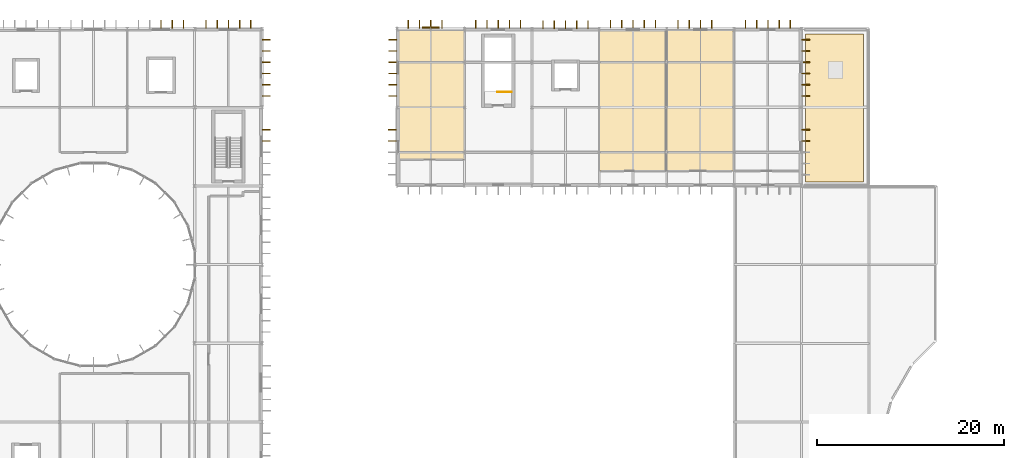
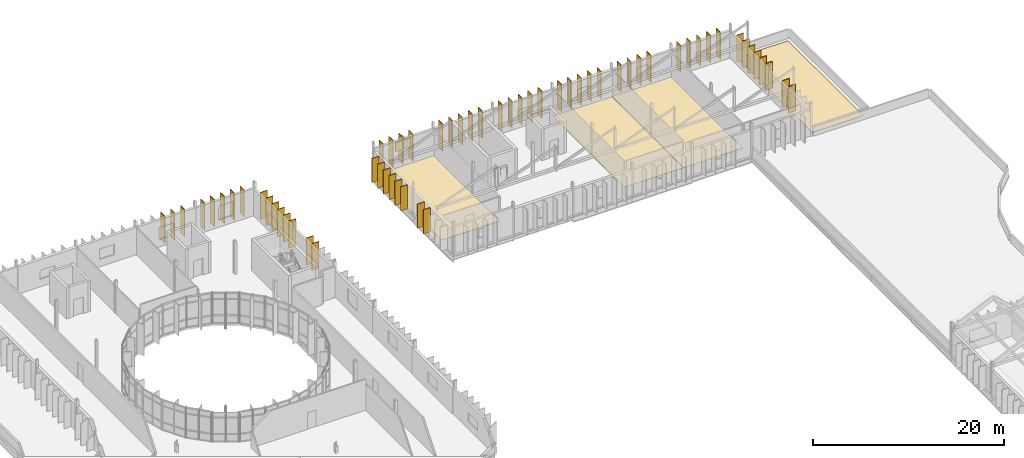
# One storey, part 51 of 52: 61 shading devices, 4 coverings, 1 railing.
"""IFC4 building model written with IfcOpenShell, lengths in metres."""

from ifc_helpers import new_model, si_unit, direction, frame, origin, origin_2d, place, context, subcontext, project, spatial, polyline, rectangle, circle, outline, extrude, material, layer, layer_set, type_object, element, save


model = new_model("IFC4")

# Units and contexts
model_context = context("Model", 3, precision=1e-05, world=origin(), true_north=direction((0.0, 1.0)))
body_context = subcontext(model_context, "Body", "Model", "MODEL_VIEW")
ifc_project = project(units=[si_unit("LENGTHUNIT", "METRE"), si_unit("AREAUNIT", "SQUARE_METRE"), si_unit("VOLUMEUNIT", "CUBIC_METRE"), si_unit("PLANEANGLEUNIT", "RADIAN"), si_unit("MASSUNIT", "GRAM", prefix="KILO")], contexts=[model_context])

# Site, building, storey
site_placement = place(None, origin())
site = spatial("IfcSite", under=ifc_project, at=site_placement, CompositionType="ELEMENT")
building_placement = place(site_placement, origin())
building = spatial("IfcBuilding", under=site, at=building_placement, Name="Qelthora Terrace Specialist Clinic", CompositionType="ELEMENT")
storey_placement = place(building_placement, frame((0.0, 0.0, 17.39990234375)))
storey = spatial("IfcBuildingStorey", under=building, at=storey_placement, Name="L04", CompositionType="ELEMENT", Elevation=17.39990234375)

# Coverings
ifc_material_1 = material(Name="Antimicrobial clinical linoleum flooring", Category="other")
ifc_layer_1 = layer(ifc_material_1, 0.011962890625)
ifc_layer_set_1 = layer_set([ifc_layer_1], Name="Antimicrobial clinical linoleum flooring")
covering_type_1 = type_object("IfcCoveringType", Name="COV-FLR-LINO-12", PredefinedType="FLOORING", material=ifc_layer_set_1)
covering_1_placement = place(storey_placement, origin())
element("IfcCovering", 1, at=covering_1_placement, inside=storey, type_object=covering_type_1, Name="Sawtooth Medical Library Reading Hall L04-61 resilient linoleum flooring", PredefinedType="FLOORING", context=body_context, shape_type="SweptSolid", body=[
    extrude(outline(polyline([(79.199951171875, 94.0), (79.199951171875, 109.050048828125), (86.35009765625, 109.050048828125), (86.35009765625, 94.0), (79.199951171875, 94.0)])), origin(), (0.0, 0.0, 1.0), 0.01220703125),
])
covering_2_placement = place(storey_placement, origin())
element("IfcCovering", 2, at=covering_2_placement, inside=storey, type_object=covering_type_1, Name="Clinical Trials Regulatory Archive L04-62 resilient linoleum flooring", PredefinedType="FLOORING", context=body_context, shape_type="SweptSolid", body=[
    extrude(outline(polyline([(86.35498046875, 94.0), (86.35498046875, 109.050048828125), (93.5, 109.050048828125), (93.5, 94.0), (86.35498046875, 94.0)])), origin(), (0.0, 0.0, 1.0), 0.01220703125),
])
covering_3_placement = place(storey_placement, origin())
element("IfcCovering", 3, at=covering_3_placement, inside=storey, type_object=covering_type_1, Name="Ethics Committee Seminar Room L04-63 resilient linoleum flooring", PredefinedType="FLOORING", context=body_context, shape_type="SweptSolid", body=[
    extrude(outline(polyline([(57.75, 95.199951171875), (57.75, 109.050048828125), (64.800048828125, 109.050048828125), (64.800048828125, 95.199951171875), (57.75, 95.199951171875)])), origin(), (0.0, 0.0, 1.0), 0.01220703125),
])
ifc_material_2 = material(Name="Standing-seam titanium-zinc", Category="metals")
ifc_layer_2 = layer(ifc_material_2, 0.0400390625)
ifc_layer_set_2 = layer_set([ifc_layer_2], Name="Standing-seam titanium-zinc")
covering_type_2 = type_object("IfcCoveringType", Name="COV-ROOF-ZINC", PredefinedType="ROOFING", material=ifc_layer_set_2)
covering_4_placement = place(storey_placement, origin())
element("IfcCovering", 4, at=covering_4_placement, inside=storey, type_object=covering_type_2, Name="Standing-seam zinc roof covering RCOV-L04-03", PredefinedType="ROOFING", context=body_context, shape_type="SweptSolid", body=[
    extrude(outline(polyline([(101.199951171875, 92.800048828125), (107.39990234375, 92.800048828125), (107.39990234375, 108.60009765625), (101.199951171875, 108.60009765625), (101.199951171875, 92.800048828125)])), origin(), (0.0, 0.0, 1.0), 0.0400390625),
])

# Railing
ifc_material_3 = material(Name="Steel S355", Category="steel")
railing_type = type_object("IfcRailingType", Name="RAL-GD-1100-S355", PredefinedType="GUARDRAIL", material=ifc_material_3)
railing_placement = place(storey_placement, frame((69.85009765625, 102.449951171875, 0.0)))
element("IfcRailing", 5, at=railing_placement, inside=storey, type_object=railing_type, Name="L04 ST-07 top well guard 1", PredefinedType="GUARDRAIL", context=body_context, shape_type="SweptSolid", body=[
    extrude(circle(Radius=0.02392578125, at=origin_2d()), frame((0.0, 0.0, 1.076171875), z_axis=(-1.0, 0.0, 0.0), x_axis=(0.0, -1.0, 0.0)), (0.0, 0.0, 1.0), 1.550048828125),
    extrude(circle(Radius=0.02099609375, at=origin_2d()), origin(), (0.0, 0.0, 1.0), 1.052001953125),
    extrude(circle(Radius=0.02099609375, at=origin_2d()), frame((-0.77490234375, 0.0, 0.0)), (0.0, 0.0, 1.0), 1.052001953125),
    extrude(circle(Radius=0.02099609375, at=origin_2d()), frame((-1.550048828125, 0.0, 0.0)), (0.0, 0.0, 1.0), 1.052001953125),
])

# Shading devices
ifc_material_4 = material(Name="Glulam timber GL28h", Category="wood")
shading_device_type_1 = type_object("IfcShadingDeviceType", Name="SHD-FIN-850", PredefinedType="USERDEFINED", material=ifc_material_4)
for number, where, z_axis, x_axis, name in (
    (6, (101.2548828125, 97.199951171875, 0.0), (0.0, 0.0, 1.0), (1.0, 0.0, 0.0), "Exterior solar shading fin FIN-1841"),
    (7, (101.2548828125, 98.39990234375, 0.0), (0.0, 0.0, 1.0), (1.0, 0.0, 0.0), "Exterior solar shading fin FIN-1842"),
    (8, (101.2451171875, 102.0, 0.0), (0.0, 0.0, 1.0), (1.0, 0.0, 0.0), "Exterior solar shading fin FIN-1843"),
    (9, (101.2451171875, 103.199951171875, 0.0), (0.0, 0.0, 1.0), (1.0, 0.0, 0.0), "Exterior solar shading fin FIN-1844"),
    (10, (101.2451171875, 104.39990234375, 0.0), (0.0, 0.0, 1.0), (1.0, 0.0, 0.0), "Exterior solar shading fin FIN-1845"),
    (11, (101.2451171875, 105.60009765625, 0.0), (0.0, 0.0, 1.0), (1.0, 0.0, 0.0), "Exterior solar shading fin FIN-1846"),
    (12, (101.2451171875, 106.800048828125, 0.0), (0.0, 0.0, 1.0), (1.0, 0.0, 0.0), "Exterior solar shading fin FIN-1847"),
    (13, (101.2451171875, 108.0, 0.0), (0.0, 0.0, 1.0), (1.0, 0.0, 0.0), "Exterior solar shading fin FIN-1848"),
):
    element("IfcShadingDevice", number, at=place(storey_placement, frame(where, z_axis=z_axis, x_axis=x_axis)), inside=storey, type_object=shading_device_type_1, Name=name, ObjectType="FIN", PredefinedType="USERDEFINED", context=body_context, shape_type="SweptSolid", body=[
        extrude(rectangle(XDim=0.85009765625, YDim=0.080078125, at=origin_2d()), origin(), (0.0, 0.0, 1.0), 3.405029296875),
    ])
for number, where, z_axis, x_axis, name in (
    (14, (57.10498046875, 97.199951171875, 0.0), (0.0, 0.0, 1.0), (-1.0, 0.0, 0.0), "Exterior solar shading fin FIN-1880"),
    (15, (57.10498046875, 98.39990234375, 0.0), (0.0, 0.0, 1.0), (-1.0, 0.0, 0.0), "Exterior solar shading fin FIN-1881"),
    (16, (57.135009765625, 102.0, 0.0), (0.0, 0.0, 1.0), (-1.0, 0.0, 0.0), "Exterior solar shading fin FIN-1882"),
    (17, (57.135009765625, 103.199951171875, 0.0), (0.0, 0.0, 1.0), (-1.0, 0.0, 0.0), "Exterior solar shading fin FIN-1883"),
    (18, (57.135009765625, 104.39990234375, 0.0), (0.0, 0.0, 1.0), (-1.0, 0.0, 0.0), "Exterior solar shading fin FIN-1884"),
    (19, (57.135009765625, 105.60009765625, 0.0), (0.0, 0.0, 1.0), (-1.0, 0.0, 0.0), "Exterior solar shading fin FIN-1885"),
    (20, (57.135009765625, 106.800048828125, 0.0), (0.0, 0.0, 1.0), (-1.0, 0.0, 0.0), "Exterior solar shading fin FIN-1886"),
    (21, (57.135009765625, 108.0, 0.0), (0.0, 0.0, 1.0), (-1.0, 0.0, 0.0), "Exterior solar shading fin FIN-1887"),
):
    element("IfcShadingDevice", number, at=place(storey_placement, frame(where, z_axis=z_axis, x_axis=x_axis)), inside=storey, type_object=shading_device_type_1, Name=name, ObjectType="FIN", PredefinedType="USERDEFINED", context=body_context, shape_type="SweptSolid", body=[
        extrude(rectangle(XDim=0.85009765625, YDim=0.080078125, at=origin_2d()), origin(), (0.0, 0.0, 1.0), 3.091064453125),
    ])
for number, where, z_axis, x_axis, name in (
    (22, (58.800048828125, 109.655029296875, 0.000244140625), (0.0, 0.0, 1.0), (0.0, 1.0, 0.0), "Exterior solar shading fin FIN-1888"),
    (23, (60.0, 109.655029296875, 0.000244140625), (0.0, 0.0, 1.0), (0.0, 1.0, 0.0), "Exterior solar shading fin FIN-1889"),
    (24, (61.199951171875, 109.655029296875, 0.000244140625), (0.0, 0.0, 1.0), (0.0, 1.0, 0.0), "Exterior solar shading fin FIN-1890"),
    (25, (62.39990234375, 109.655029296875, 0.000244140625), (0.0, 0.0, 1.0), (0.0, 1.0, 0.0), "Exterior solar shading fin FIN-1891"),
    (26, (66.0, 109.64501953125, 0.000244140625), (0.0, 0.0, 1.0), (0.0, 1.0, 0.0), "Exterior solar shading fin FIN-1892"),
    (27, (67.199951171875, 109.64501953125, 0.000244140625), (0.0, 0.0, 1.0), (0.0, 1.0, 0.0), "Exterior solar shading fin FIN-1893"),
    (28, (68.39990234375, 109.64501953125, 0.000244140625), (0.0, 0.0, 1.0), (0.0, 1.0, 0.0), "Exterior solar shading fin FIN-1894"),
    (29, (69.60009765625, 109.64501953125, 0.000244140625), (0.0, 0.0, 1.0), (0.0, 1.0, 0.0), "Exterior solar shading fin FIN-1895"),
    (30, (70.800048828125, 109.64501953125, 0.000244140625), (0.0, 0.0, 1.0), (0.0, 1.0, 0.0), "Exterior solar shading fin FIN-1896"),
    (31, (73.199951171875, 109.635009765625, 0.000244140625), (0.0, 0.0, 1.0), (0.0, 1.0, 0.0), "Exterior solar shading fin FIN-1897"),
    (32, (74.39990234375, 109.635009765625, 0.000244140625), (0.0, 0.0, 1.0), (0.0, 1.0, 0.0), "Exterior solar shading fin FIN-1898"),
    (33, (75.60009765625, 109.635009765625, 0.000244140625), (0.0, 0.0, 1.0), (0.0, 1.0, 0.0), "Exterior solar shading fin FIN-1899"),
    (34, (76.800048828125, 109.635009765625, 0.000244140625), (0.0, 0.0, 1.0), (0.0, 1.0, 0.0), "Exterior solar shading fin FIN-1900"),
    (35, (78.0, 109.635009765625, 0.000244140625), (0.0, 0.0, 1.0), (0.0, 1.0, 0.0), "Exterior solar shading fin FIN-1901"),
    (36, (80.39990234375, 109.695068359375, 0.000244140625), (0.0, 0.0, 1.0), (0.0, 1.0, 0.0), "Exterior solar shading fin FIN-1902"),
    (37, (81.60009765625, 109.695068359375, 0.000244140625), (0.0, 0.0, 1.0), (0.0, 1.0, 0.0), "Exterior solar shading fin FIN-1903"),
    (38, (82.800048828125, 109.695068359375, 0.000244140625), (0.0, 0.0, 1.0), (0.0, 1.0, 0.0), "Exterior solar shading fin FIN-1904"),
    (39, (84.0, 109.695068359375, 0.000244140625), (0.0, 0.0, 1.0), (0.0, 1.0, 0.0), "Exterior solar shading fin FIN-1905"),
    (40, (85.199951171875, 109.695068359375, 0.000244140625), (0.0, 0.0, 1.0), (0.0, 1.0, 0.0), "Exterior solar shading fin FIN-1906"),
    (41, (87.60009765625, 109.6650390625, 0.000244140625), (0.0, 0.0, 1.0), (0.0, 1.0, 0.0), "Exterior solar shading fin FIN-1907"),
    (42, (88.800048828125, 109.6650390625, 0.000244140625), (0.0, 0.0, 1.0), (0.0, 1.0, 0.0), "Exterior solar shading fin FIN-1908"),
    (43, (90.0, 109.6650390625, 0.000244140625), (0.0, 0.0, 1.0), (0.0, 1.0, 0.0), "Exterior solar shading fin FIN-1909"),
    (44, (91.199951171875, 109.6650390625, 0.000244140625), (0.0, 0.0, 1.0), (0.0, 1.0, 0.0), "Exterior solar shading fin FIN-1910"),
    (45, (94.800048828125, 109.655029296875, 0.000244140625), (0.0, 0.0, 1.0), (0.0, 1.0, 0.0), "Exterior solar shading fin FIN-1911"),
    (46, (96.0, 109.655029296875, 0.000244140625), (0.0, 0.0, 1.0), (0.0, 1.0, 0.0), "Exterior solar shading fin FIN-1912"),
    (47, (97.199951171875, 109.655029296875, 0.000244140625), (0.0, 0.0, 1.0), (0.0, 1.0, 0.0), "Exterior solar shading fin FIN-1913"),
    (48, (98.39990234375, 109.655029296875, 0.000244140625), (0.0, 0.0, 1.0), (0.0, 1.0, 0.0), "Exterior solar shading fin FIN-1914"),
    (49, (99.60009765625, 109.655029296875, 0.000244140625), (0.0, 0.0, 1.0), (0.0, 1.0, 0.0), "Exterior solar shading fin FIN-1915"),
    (50, (32.39990234375, 109.655029296875, 0.000244140625), (0.0, 0.0, 1.0), (0.0, 1.0, 0.0), "Exterior solar shading fin FIN-1967"),
    (51, (33.60009765625, 109.655029296875, 0.000244140625), (0.0, 0.0, 1.0), (0.0, 1.0, 0.0), "Exterior solar shading fin FIN-1968"),
    (52, (34.800048828125, 109.655029296875, 0.000244140625), (0.0, 0.0, 1.0), (0.0, 1.0, 0.0), "Exterior solar shading fin FIN-1969"),
    (53, (37.199951171875, 109.64501953125, 0.000244140625), (0.0, 0.0, 1.0), (0.0, 1.0, 0.0), "Exterior solar shading fin FIN-1970"),
    (54, (38.39990234375, 109.64501953125, 0.000244140625), (0.0, 0.0, 1.0), (0.0, 1.0, 0.0), "Exterior solar shading fin FIN-1971"),
    (55, (39.60009765625, 109.64501953125, 0.000244140625), (0.0, 0.0, 1.0), (0.0, 1.0, 0.0), "Exterior solar shading fin FIN-1972"),
    (56, (40.800048828125, 109.64501953125, 0.000244140625), (0.0, 0.0, 1.0), (0.0, 1.0, 0.0), "Exterior solar shading fin FIN-1973"),
    (57, (42.0, 109.64501953125, 0.000244140625), (0.0, 0.0, 1.0), (0.0, 1.0, 0.0), "Exterior solar shading fin FIN-1974"),
):
    element("IfcShadingDevice", number, at=place(storey_placement, frame(where, z_axis=z_axis, x_axis=x_axis)), inside=storey, type_object=shading_device_type_1, Name=name, ObjectType="FIN", PredefinedType="USERDEFINED", context=body_context, shape_type="SweptSolid", body=[
        extrude(rectangle(XDim=0.85009765625, YDim=0.080078125, at=origin_2d()), origin(), (0.0, 0.0, 1.0), 3.48193359375),
    ])
for number, where, z_axis, x_axis, name in (
    (58, (43.64501953125, 97.199951171875, 0.0), (0.0, 0.0, 1.0), (1.0, 0.0, 0.0), "Exterior solar shading fin FIN-2001"),
    (59, (43.64501953125, 98.39990234375, 0.0), (0.0, 0.0, 1.0), (1.0, 0.0, 0.0), "Exterior solar shading fin FIN-2002"),
):
    element("IfcShadingDevice", number, at=place(storey_placement, frame(where, z_axis=z_axis, x_axis=x_axis)), inside=storey, type_object=shading_device_type_1, Name=name, ObjectType="FIN", PredefinedType="USERDEFINED", context=body_context, shape_type="SweptSolid", body=[
        extrude(rectangle(XDim=0.85009765625, YDim=0.080078125, at=origin_2d()), origin(), (0.0, 0.0, 1.0), 3.47607421875),
    ])
for number, where, z_axis, x_axis, name in (
    (60, (43.635009765625, 102.0, 0.000244140625), (0.0, 0.0, 1.0), (1.0, 0.0, 0.0), "Exterior solar shading fin FIN-2003"),
    (61, (43.635009765625, 103.199951171875, 0.000244140625), (0.0, 0.0, 1.0), (1.0, 0.0, 0.0), "Exterior solar shading fin FIN-2004"),
    (62, (43.635009765625, 104.39990234375, 0.000244140625), (0.0, 0.0, 1.0), (1.0, 0.0, 0.0), "Exterior solar shading fin FIN-2005"),
    (63, (43.635009765625, 105.60009765625, 0.000244140625), (0.0, 0.0, 1.0), (1.0, 0.0, 0.0), "Exterior solar shading fin FIN-2006"),
    (64, (43.635009765625, 106.800048828125, 0.000244140625), (0.0, 0.0, 1.0), (1.0, 0.0, 0.0), "Exterior solar shading fin FIN-2007"),
    (65, (43.635009765625, 108.0, 0.000244140625), (0.0, 0.0, 1.0), (1.0, 0.0, 0.0), "Exterior solar shading fin FIN-2008"),
):
    element("IfcShadingDevice", number, at=place(storey_placement, frame(where, z_axis=z_axis, x_axis=x_axis)), inside=storey, type_object=shading_device_type_1, Name=name, ObjectType="FIN", PredefinedType="USERDEFINED", context=body_context, shape_type="SweptSolid", body=[
        extrude(rectangle(XDim=0.85009765625, YDim=0.080078125, at=origin_2d()), origin(), (0.0, 0.0, 1.0), 3.48193359375),
    ])
ifc_material_5 = material(Name="Aluminium anodized bronze", Category="aluminium")
shading_device_type_2 = type_object("IfcShadingDeviceType", Name="SHD-LOUVRE-1800", PredefinedType="USERDEFINED", material=ifc_material_5)
shading_device_placement = place(storey_placement, frame((61.199951171875, 109.320068359375, 1.89990234375), z_axis=(0.0, 0.0, 1.0), x_axis=(1.0, 0.0, 0.0)))
element("IfcShadingDevice", 66, at=shading_device_placement, inside=storey, type_object=shading_device_type_2, Name="High-altitude HVAC louvre LVR-009", ObjectType="LOUVRE", PredefinedType="USERDEFINED", context=body_context, shape_type="SweptSolid", body=[
    extrude(rectangle(XDim=1.800048828125, YDim=0.179931640625, at=origin_2d()), origin(), (0.0, 0.0, 1.0), 1.199951171875),
])

save(model, "model.ifc")
